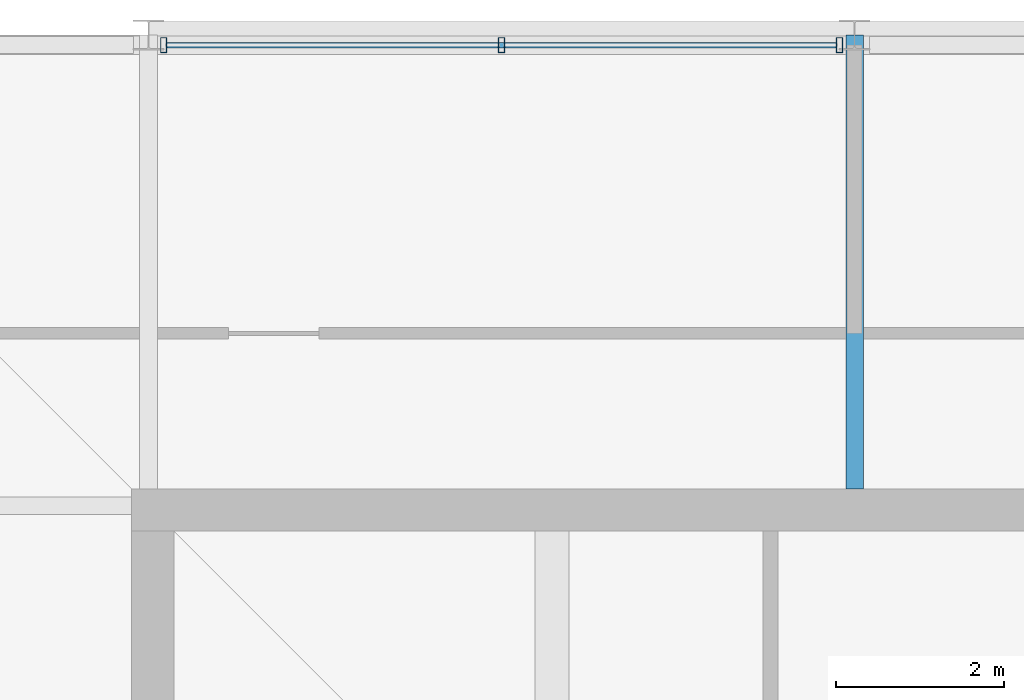
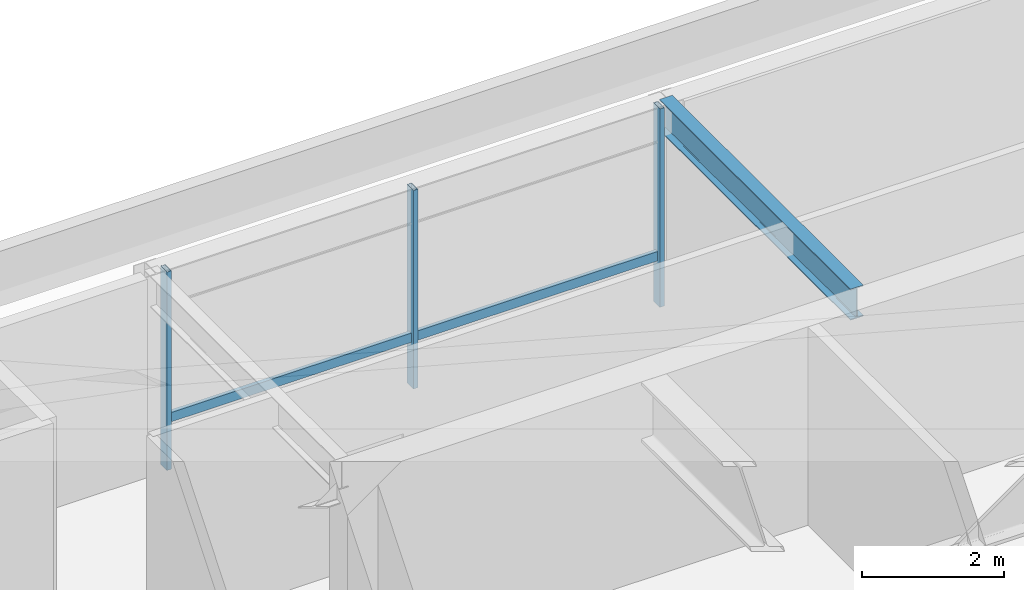
# One storey, part 10 of 13: 4 members, 1 beam, 1 element without a shape of its own.
"""IFC4 building model written with IfcOpenShell, lengths in metres."""

from ifc_helpers import new_model, si_unit, direction, frame, origin, origin_2d, place, context, subcontext, project, spatial, hollow_rectangle, i_section, extrude, material, layer, layer_set, material_profile, profile_set, type_object, element, aggregate, save


model = new_model("IFC4")

# Units and contexts
model_context = context("Model", 3, precision=1e-05, world=origin(), true_north=direction((0.0, 1.0)))
body_context = subcontext(model_context, "Body", "Model", "MODEL_VIEW")
ifc_project = project(units=[si_unit("LENGTHUNIT", "METRE"), si_unit("AREAUNIT", "SQUARE_METRE"), si_unit("VOLUMEUNIT", "CUBIC_METRE"), si_unit("PLANEANGLEUNIT", "RADIAN"), si_unit("MASSUNIT", "GRAM", prefix="KILO")], contexts=[model_context])

# Site, building, storey
site_placement = place(None, origin())
site = spatial("IfcSite", under=ifc_project, at=site_placement, CompositionType="ELEMENT")
building_placement = place(site_placement, origin())
building = spatial("IfcBuilding", under=site, at=building_placement, Name="Drelvath Grand Hotel", CompositionType="ELEMENT")
storey_placement = place(building_placement, frame((0.0, 0.0, 323.199951171875)))
storey = spatial("IfcBuildingStorey", under=building, at=storey_placement, Name="L84", CompositionType="ELEMENT", Elevation=323.199951171875)

# Curtain wall, members
ifc_material_1 = material(Name="Pale-Metal Anodised Aluminium Crown Frame", Category="aluminium")
ifc_layer = layer(ifc_material_1, 0.199951171875)
ifc_layer_set = layer_set([ifc_layer], Name="Pale-Metal Anodised Aluminium Crown Frame")
curtain_wall_type = type_object("IfcCurtainWallType", Name="Stick Curtain Wall CW-06 Pale-Metal Crown Clerestory", PredefinedType="NOTDEFINED", material=ifc_layer_set)
curtain_wall_placement = place(storey_placement, origin())
curtain_wall = element("IfcCurtainWall", 1, at=curtain_wall_placement, inside=storey, type_object=curtain_wall_type, Name="L84 CW-06 Curtain Wall CW06-L84-N", PredefinedType="NOTDEFINED")
ifc_material_profile_1 = material_profile(ifc_material_1, hollow_rectangle(XDim=0.06494140625, YDim=0.159912109375, WallThickness=0.00390625, at=origin_2d()), Name="HSS160X65X4")
ifc_profile_set_1 = profile_set([ifc_material_profile_1], Name="Pale-Metal Anodised Aluminium Crown Frame")
member_type_1 = type_object("IfcMemberType", Name="Curtain Wall Horizontal Transom CW-06 HSS160X65X4", PredefinedType="USERDEFINED", material=ifc_profile_set_1)
member_1_placement = place(storey_placement, frame((-8.1796875, 40.8798828125, 0.85009765625), z_axis=(1.0, 0.0, 0.0), x_axis=(0.0, 1.0, 0.0)))
member_1 = element("IfcMember", 2, at=member_1_placement, type_object=member_type_1, Name="CW06-L84-N Sill Transom", ObjectType="TRANSOM", PredefinedType="USERDEFINED", context=body_context, shape_type="SweptSolid", body=[
    extrude(hollow_rectangle(XDim=0.06494140625, YDim=0.159912109375, WallThickness=0.00390625, at=origin_2d()), origin(), (0.0, 0.0, 1.0), 7.959228515625),
])
ifc_material_profile_2 = material_profile(ifc_material_1, hollow_rectangle(XDim=0.074951171875, YDim=0.179931640625, WallThickness=0.0048828125, at=origin_2d()), Name="HSS180X75X5")
ifc_profile_set_2 = profile_set([ifc_material_profile_2], Name="Pale-Metal Anodised Aluminium Crown Frame")
member_type_2 = type_object("IfcMemberType", Name="Curtain Wall Vertical Mullion CW-06 HSS180X75X5", PredefinedType="MULLION", material=ifc_profile_set_2)
member_2_placement = place(storey_placement, frame((-8.219482421875, 40.8798828125, 0.0), z_axis=(0.0, 0.0, 1.0), x_axis=(1.0, 0.0, 0.0)))
member_2 = element("IfcMember", 3, at=member_2_placement, type_object=member_type_2, Name="CW06-L84-N Mullion 1", PredefinedType="MULLION", context=body_context, shape_type="SweptSolid", body=[
    extrude(hollow_rectangle(XDim=0.074951171875, YDim=0.179931640625, WallThickness=0.0048828125, at=origin_2d()), origin(), (0.0, 0.0, 1.0), 3.420166015625),
])
member_3_placement = place(storey_placement, frame((-4.199951171875, 40.8798828125, 0.0), z_axis=(0.0, 0.0, 1.0), x_axis=(1.0, 0.0, 0.0)))
member_3 = element("IfcMember", 4, at=member_3_placement, type_object=member_type_2, Name="CW06-L84-N Mullion 2", PredefinedType="MULLION", context=body_context, shape_type="SweptSolid", body=[
    extrude(hollow_rectangle(XDim=0.074951171875, YDim=0.179931640625, WallThickness=0.0048828125, at=origin_2d()), origin(), (0.0, 0.0, 1.0), 3.420166015625),
])
member_4_placement = place(storey_placement, frame((-0.180419921875, 40.8798828125, 0.0), z_axis=(0.0, 0.0, 1.0), x_axis=(1.0, 0.0, 0.0)))
member_4 = element("IfcMember", 5, at=member_4_placement, type_object=member_type_2, Name="CW06-L84-N Mullion 3", PredefinedType="MULLION", context=body_context, shape_type="SweptSolid", body=[
    extrude(hollow_rectangle(XDim=0.074951171875, YDim=0.179931640625, WallThickness=0.0048828125, at=origin_2d()), origin(), (0.0, 0.0, 1.0), 3.420166015625),
])
aggregate(curtain_wall, [member_2, member_3, member_4, member_1])

# Beam
ifc_material_2 = material(Name="Steel ASTM A992 Gr 50", Category="steel")
ifc_material_profile_3 = material_profile(ifc_material_2, i_section(OverallWidth=0.210205078125, OverallDepth=0.53662109375, WebThickness=0.010986328125, FlangeThickness=0.017333984375, FilletRadius=0.01806640625, at=origin_2d()), Name="W21X68")
ifc_profile_set_3 = profile_set([ifc_material_profile_3], Name="Steel ASTM A992 Gr 50")
beam_type = type_object("IfcBeamType", Name="Primary Floor Girder W21X68", PredefinedType="BEAM", material=ifc_profile_set_3)
beam_placement = place(storey_placement, frame((0.0, 35.60009765625, 3.15185546875), z_axis=(0.0, 1.0, 0.0), x_axis=(-1.0, 0.0, 0.0)))
element("IfcBeam", 6, at=beam_placement, inside=storey, type_object=beam_type, Name="L84 Crown Drum Tie North 5", PredefinedType="BEAM", context=body_context, shape_type="SweptSolid", body=[
    extrude(i_section(OverallWidth=0.210205078125, OverallDepth=0.53662109375, WebThickness=0.010986328125, FlangeThickness=0.017333984375, FilletRadius=0.01806640625, at=origin_2d()), origin(), (0.0, 0.0, 1.0), 5.39990234375),
])

save(model, "model.ifc")
